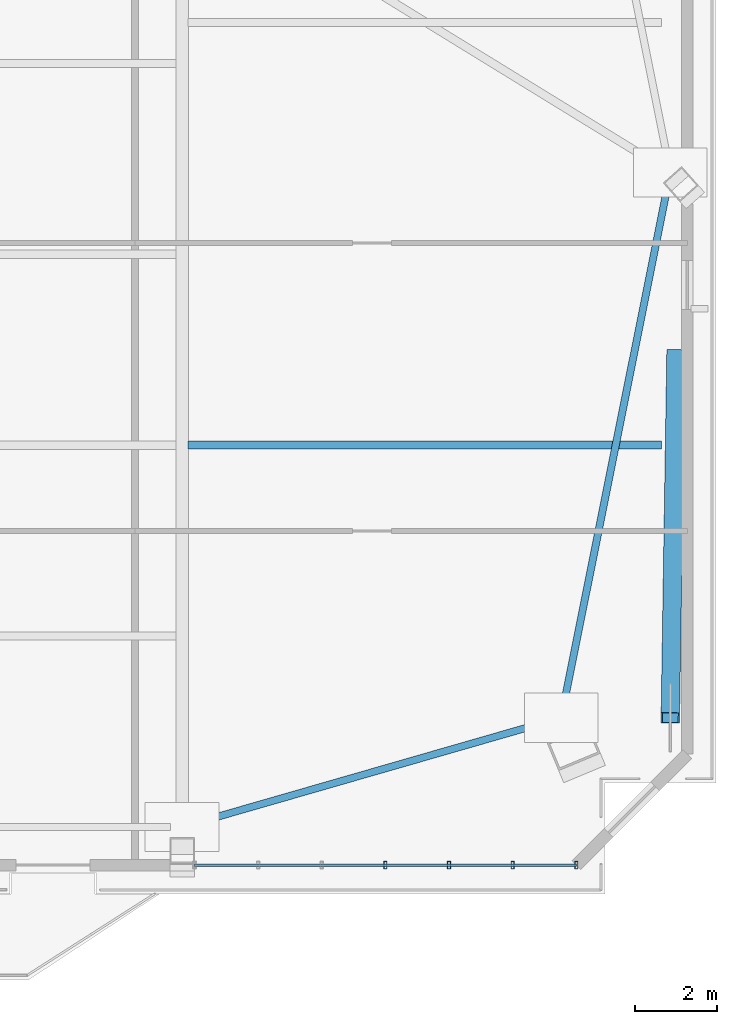
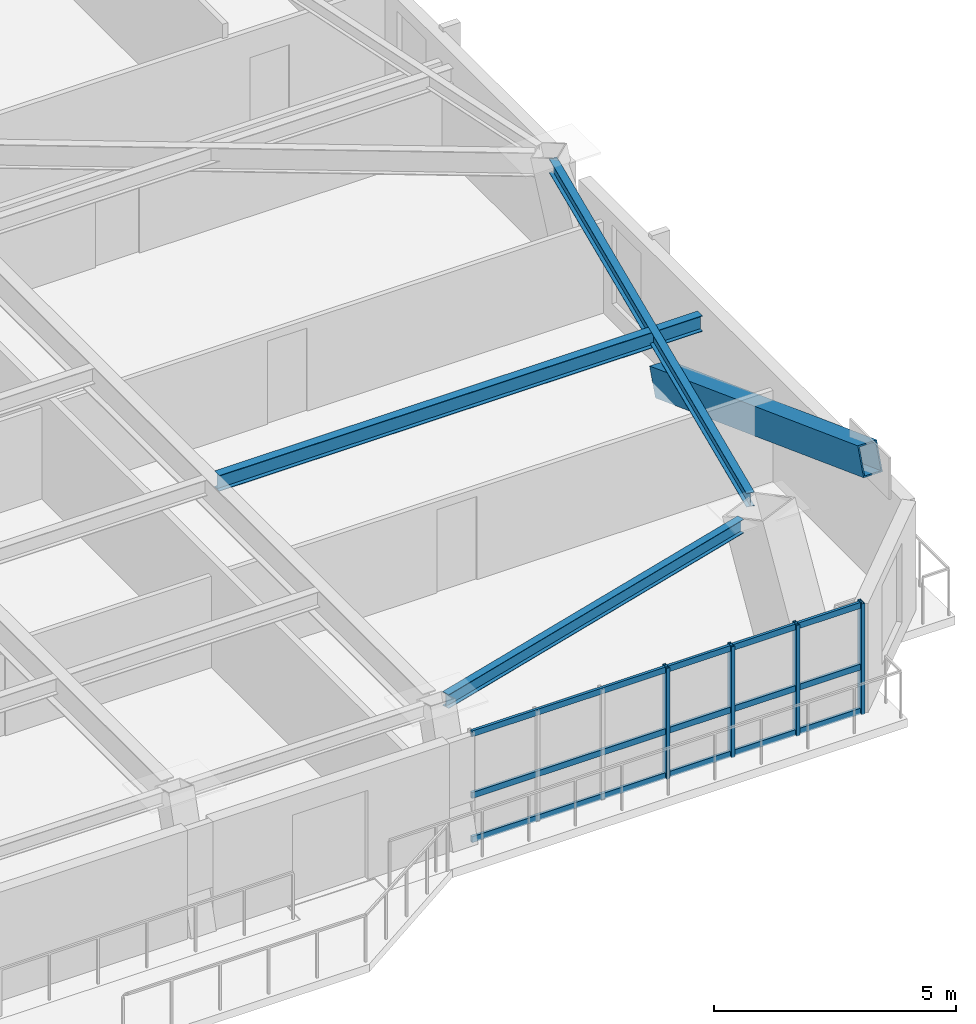
# One storey, part 6 of 16: 8 members, 3 beams, 1 element without a shape of its own.
"""IFC4 building model written with IfcOpenShell, lengths in metres."""

from ifc_helpers import new_model, si_unit, direction, frame, origin, origin_2d, place, context, subcontext, project, spatial, hollow_rectangle, i_section, extrude, source, transform, mapped, material, layer, layer_set, material_profile, profile_set, type_object, element, aggregate, save


model = new_model("IFC4")

# Units and contexts
model_context = context("Model", 3, precision=1e-05, world=origin(), true_north=direction((0.0, 1.0)))
body_context = subcontext(model_context, "Body", "Model", "MODEL_VIEW")
ifc_project = project(units=[si_unit("LENGTHUNIT", "METRE"), si_unit("AREAUNIT", "SQUARE_METRE"), si_unit("VOLUMEUNIT", "CUBIC_METRE"), si_unit("PLANEANGLEUNIT", "RADIAN"), si_unit("MASSUNIT", "GRAM", prefix="KILO")], contexts=[model_context])

# Site, building, storey
site_placement = place(None, origin())
site = spatial("IfcSite", under=ifc_project, at=site_placement, CompositionType="ELEMENT")
building_placement = place(site_placement, origin())
building = spatial("IfcBuilding", under=site, at=building_placement, Name="Giltprow Tower", CompositionType="ELEMENT")
storey_placement = place(building_placement, frame((0.0, 0.0, 233.800048828125)))
storey = spatial("IfcBuildingStorey", under=building, at=storey_placement, Name="L59", CompositionType="ELEMENT", Elevation=233.800048828125)

# Beams
ifc_material_1 = material(Name="Structural steel Q355B", Category="steel")
ifc_material_profile_1 = material_profile(ifc_material_1, i_section(OverallWidth=0.175048828125, OverallDepth=0.35009765625, WebThickness=0.007080078125, FlangeThickness=0.010986328125, at=origin_2d()), Name="HN 350x175x7x11")
ifc_profile_set_1 = profile_set([ifc_material_profile_1], Name="Structural steel Q355B")
beam_type_1 = type_object("IfcBeamType", Name="BM-SPAN-HN350", PredefinedType="SPANDREL", material=ifc_profile_set_1)
shared_shape_1 = source(origin(), body_context, "Body", "SweptSolid", [
    extrude(i_section(OverallWidth=0.175048828125, OverallDepth=0.35009765625, WebThickness=0.007080078125, FlangeThickness=0.010986328125, at=origin_2d()), origin(), (0.0, 0.0, 1.0), 8.796630859375),
])
beam_1_placement = place(storey_placement, frame((50.823974609375, 14.260986328125, 2.945068359375), z_axis=(0.960954247339, 0.276707308398, 0.0), x_axis=(-0.276707308398, 0.960954247339, 0.0)))
element("IfcBeam", 1, at=beam_1_placement, inside=storey, type_object=beam_type_1, Name="L59 Perimeter Spandrel Beam S4-MC_SE", PredefinedType="SPANDREL", context=body_context, shape_type="MappedRepresentation", body=[
    mapped(shared_shape_1, transform((0.0, 0.0, 0.0), x_axis=(1.0, 0.0, 0.0), y_axis=(0.0, 1.0, 0.0), z_axis=(0.0, 0.0, 1.0), scale=1.0)),
])
shared_shape_2 = source(origin(), body_context, "Body", "SweptSolid", [
    extrude(i_section(OverallWidth=0.175048828125, OverallDepth=0.35009765625, WebThickness=0.007080078125, FlangeThickness=0.010986328125, at=origin_2d()), origin(), (0.0, 0.0, 1.0), 12.74169921875),
])
beam_2_placement = place(storey_placement, frame((59.89599609375, 17.367919921875, 2.945068359375), z_axis=(0.19620456789, 0.980562984993, 0.0), x_axis=(-0.980562984993, 0.19620456789, 0.0)))
element("IfcBeam", 2, at=beam_2_placement, inside=storey, type_object=beam_type_1, Name="L59 Perimeter Spandrel Beam MC_SE-E_MID", PredefinedType="SPANDREL", context=body_context, shape_type="MappedRepresentation", body=[
    mapped(shared_shape_2, transform((0.0, 0.0, 0.0), x_axis=(1.0, 0.0, 0.0), y_axis=(0.0, 1.0, 0.0), z_axis=(0.0, 0.0, 1.0), scale=1.0)),
])
ifc_material_profile_2 = material_profile(ifc_material_1, i_section(OverallWidth=0.199951171875, OverallDepth=0.39990234375, WebThickness=0.008056640625, FlangeThickness=0.012939453125, at=origin_2d()), Name="HN 400x200x8x13")
ifc_profile_set_2 = profile_set([ifc_material_profile_2], Name="Structural steel Q355B")
beam_type_2 = type_object("IfcBeamType", Name="BM-JOIST-HN400", PredefinedType="JOIST", material=ifc_profile_set_2)
shared_shape_3 = source(origin(), body_context, "Body", "SweptSolid", [
    extrude(i_section(OverallWidth=0.199951171875, OverallDepth=0.39990234375, WebThickness=0.008056640625, FlangeThickness=0.012939453125, at=origin_2d()), origin(), (0.0, 0.0, 1.0), 11.536865234375),
])
beam_3_placement = place(storey_placement, frame((50.695068359375, 23.491943359375, 2.919921875), z_axis=(1.0, 0.0, 0.0), x_axis=(0.0, 1.0, 0.0)))
element("IfcBeam", 3, at=beam_3_placement, inside=storey, type_object=beam_type_2, Name="L59 East Wing Floor Joist 1", PredefinedType="JOIST", context=body_context, shape_type="MappedRepresentation", body=[
    mapped(shared_shape_3, transform((0.0, 0.0, 0.0), x_axis=(1.0, 0.0, 0.0), y_axis=(0.0, 1.0, 0.0), z_axis=(0.0, 0.0, 1.0), scale=1.0)),
])

# Member
ifc_material_2 = material(Name="Structural steel Q420GJC", Category="steel")
ifc_material_profile_3 = material_profile(ifc_material_2, hollow_rectangle(XDim=0.449951171875, YDim=0.699951171875, WallThickness=0.031982421875, at=origin_2d()), Name="RHS 700x450x32")
ifc_profile_set_3 = profile_set([ifc_material_profile_3], Name="Structural steel Q420GJC")
member_type_1 = type_object("IfcMemberType", Name="MBR-MEGA-RHS700", PredefinedType="BRACE", material=ifc_profile_set_3)
shared_shape_4 = source(origin(), body_context, "Body", "SweptSolid", [
    extrude(hollow_rectangle(XDim=0.449951171875, YDim=0.699951171875, WallThickness=0.031982421875, at=origin_2d()), origin(), (0.0, 0.0, 1.0), 9.481689453125),
])
member_1_placement = place(storey_placement, frame((62.590087890625, 25.693115234375, 0.0), z_axis=(-0.014573713056, -0.933387099444, 0.358575137844), x_axis=(0.999878127016, -0.015611890204, 0.0)))
element("IfcMember", 4, at=member_1_placement, inside=storey, type_object=member_type_1, Name="L59 Chevron Mega-Brace E-D", PredefinedType="BRACE", context=body_context, shape_type="MappedRepresentation", body=[
    mapped(shared_shape_4, transform((0.0, 0.0, 0.0), x_axis=(1.0, 0.0, 0.0), y_axis=(0.0, 1.0, 0.0), z_axis=(0.0, 0.0, 1.0), scale=1.0)),
])

# Curtain wall, members
ifc_material_3 = material(Name="Anodized bronze", Category="metal")
ifc_layer = layer(ifc_material_3, 0.179931640625, Name="Anodized bronze")
ifc_layer_set = layer_set([ifc_layer], Name="Anodized bronze")
curtain_wall_type = type_object("IfcCurtainWallType", Name="CW-RES-SKY", PredefinedType="NOTDEFINED", material=ifc_layer_set)
curtain_wall_placement = place(storey_placement, origin())
curtain_wall = element("IfcCurtainWall", 5, at=curtain_wall_placement, inside=storey, type_object=curtain_wall_type, Name="L59 South Recessed Curtain Wall 6", PredefinedType="NOTDEFINED")
ifc_material_profile_4 = material_profile(ifc_material_3, hollow_rectangle(XDim=0.06494140625, YDim=0.14990234375, WallThickness=0.006103515625, at=origin_2d()), Name="RHS 150x65x6")
ifc_profile_set_4 = profile_set([ifc_material_profile_4], Name="Anodized bronze")
member_type_2 = type_object("IfcMemberType", Name="CW-TRANSOM-150x65", PredefinedType="USERDEFINED", material=ifc_profile_set_4)
shared_shape_5 = source(origin(), body_context, "Body", "SweptSolid", [
    extrude(hollow_rectangle(XDim=0.06494140625, YDim=0.14990234375, WallThickness=0.006103515625, at=origin_2d()), origin(), (0.0, 0.0, 1.0), 9.309814453125),
])
member_2_placement = place(storey_placement, frame((50.85009765625, 13.25, 0.0400390625), z_axis=(1.0, 0.0, 0.0), x_axis=(0.0, 1.0, 0.0)))
member_2 = element("IfcMember", 6, at=member_2_placement, type_object=member_type_2, Name="L59 South Recessed Curtain Wall 6 Transom 1", ObjectType="TRANSOM", PredefinedType="USERDEFINED", context=body_context, shape_type="MappedRepresentation", body=[
    mapped(shared_shape_5, transform((0.0, 0.0, 0.0), x_axis=(1.0, 0.0, 0.0), y_axis=(0.0, 1.0, 0.0), z_axis=(0.0, 0.0, 1.0), scale=1.0)),
])
member_3_placement = place(storey_placement, frame((50.85009765625, 13.25, 1.155029296875), z_axis=(1.0, 0.0, 0.0), x_axis=(0.0, 1.0, 0.0)))
member_3 = element("IfcMember", 7, at=member_3_placement, type_object=member_type_2, Name="L59 South Recessed Curtain Wall 6 Transom 2", ObjectType="TRANSOM", PredefinedType="USERDEFINED", context=body_context, shape_type="MappedRepresentation", body=[
    mapped(shared_shape_5, transform((0.0, 0.0, 0.0), x_axis=(1.0, 0.0, 0.0), y_axis=(0.0, 1.0, 0.0), z_axis=(0.0, 0.0, 1.0), scale=1.0)),
])
member_4_placement = place(storey_placement, frame((50.85009765625, 13.25, 2.7099609375), z_axis=(1.0, 0.0, 0.0), x_axis=(0.0, 1.0, 0.0)))
member_4 = element("IfcMember", 8, at=member_4_placement, type_object=member_type_2, Name="L59 South Recessed Curtain Wall 6 Transom 3", ObjectType="TRANSOM", PredefinedType="USERDEFINED", context=body_context, shape_type="MappedRepresentation", body=[
    mapped(shared_shape_5, transform((0.0, 0.0, 0.0), x_axis=(1.0, 0.0, 0.0), y_axis=(0.0, 1.0, 0.0), z_axis=(0.0, 0.0, 1.0), scale=1.0)),
])
ifc_material_profile_5 = material_profile(ifc_material_3, hollow_rectangle(XDim=0.074951171875, YDim=0.179931640625, WallThickness=0.008056640625, at=origin_2d()), Name="RHS 180x75x8")
ifc_profile_set_5 = profile_set([ifc_material_profile_5], Name="Anodized bronze")
member_type_3 = type_object("IfcMemberType", Name="CW-MULLION-180x75", PredefinedType="MULLION", material=ifc_profile_set_5)
shared_shape_6 = source(origin(), body_context, "Body", "SweptSolid", [
    extrude(hollow_rectangle(XDim=0.074951171875, YDim=0.179931640625, WallThickness=0.008056640625, at=origin_2d()), origin(), (0.0, 0.0, 1.0), 2.804931640625),
])
member_5_placement = place(storey_placement, frame((55.5048828125, 13.25, -0.02001953125), z_axis=(0.0, 0.0, 1.0), x_axis=(1.0, 0.0, 0.0)))
member_5 = element("IfcMember", 9, at=member_5_placement, type_object=member_type_3, Name="L59 South Recessed Curtain Wall 6 Mullion 4", PredefinedType="MULLION", context=body_context, shape_type="MappedRepresentation", body=[
    mapped(shared_shape_6, transform((0.0, 0.0, 0.0), x_axis=(1.0, 0.0, 0.0), y_axis=(0.0, 1.0, 0.0), z_axis=(0.0, 0.0, 1.0), scale=1.0)),
])
member_6_placement = place(storey_placement, frame((57.056884765625, 13.25, -0.02001953125), z_axis=(0.0, 0.0, 1.0), x_axis=(1.0, 0.0, 0.0)))
member_6 = element("IfcMember", 10, at=member_6_placement, type_object=member_type_3, Name="L59 South Recessed Curtain Wall 6 Mullion 5", PredefinedType="MULLION", context=body_context, shape_type="MappedRepresentation", body=[
    mapped(shared_shape_6, transform((0.0, 0.0, 0.0), x_axis=(1.0, 0.0, 0.0), y_axis=(0.0, 1.0, 0.0), z_axis=(0.0, 0.0, 1.0), scale=1.0)),
])
member_7_placement = place(storey_placement, frame((58.60791015625, 13.25, -0.02001953125), z_axis=(0.0, 0.0, 1.0), x_axis=(1.0, 0.0, 0.0)))
member_7 = element("IfcMember", 11, at=member_7_placement, type_object=member_type_3, Name="L59 South Recessed Curtain Wall 6 Mullion 6", PredefinedType="MULLION", context=body_context, shape_type="MappedRepresentation", body=[
    mapped(shared_shape_6, transform((0.0, 0.0, 0.0), x_axis=(1.0, 0.0, 0.0), y_axis=(0.0, 1.0, 0.0), z_axis=(0.0, 0.0, 1.0), scale=1.0)),
])
member_8_placement = place(storey_placement, frame((60.159912109375, 13.25, -0.02001953125), z_axis=(0.0, 0.0, 1.0), x_axis=(1.0, 0.0, 0.0)))
member_8 = element("IfcMember", 12, at=member_8_placement, type_object=member_type_3, Name="L59 South Recessed Curtain Wall 6 Mullion 7", PredefinedType="MULLION", context=body_context, shape_type="MappedRepresentation", body=[
    mapped(shared_shape_6, transform((0.0, 0.0, 0.0), x_axis=(1.0, 0.0, 0.0), y_axis=(0.0, 1.0, 0.0), z_axis=(0.0, 0.0, 1.0), scale=1.0)),
])
aggregate(curtain_wall, [member_5, member_6, member_7, member_8, member_2, member_3, member_4])

save(model, "model.ifc")
